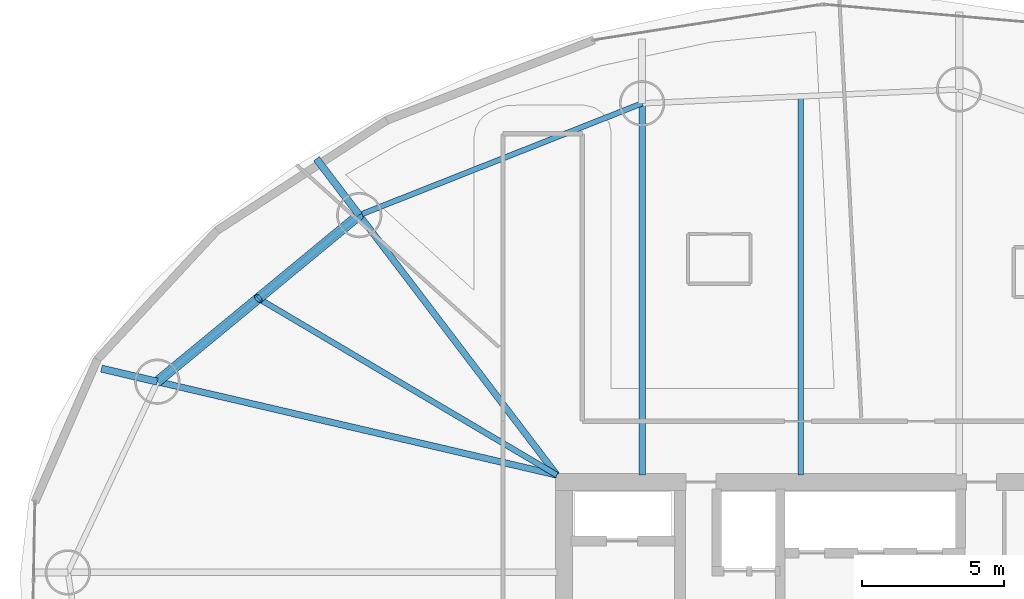
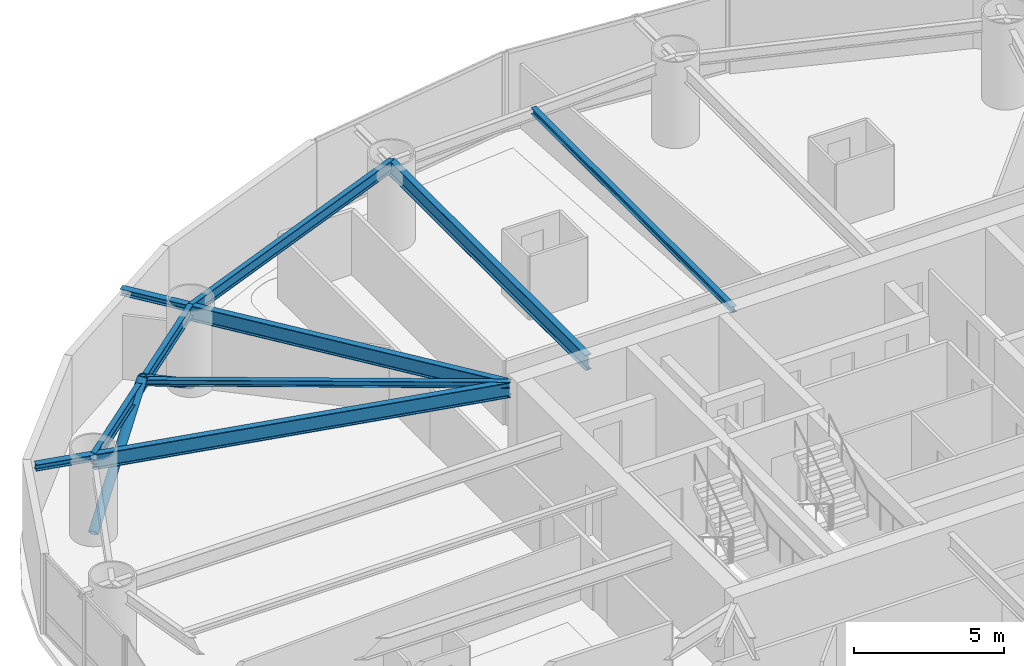
# One storey, part 13 of 24: 9 beams, 2 members.
"""IFC4 building model written with IfcOpenShell, lengths in metres."""

from ifc_helpers import new_model, si_unit, direction, frame, origin, origin_2d, place, context, subcontext, project, spatial, hollow_circle, i_section, extrude, material, material_profile, profile_set, type_object, element, save


model = new_model("IFC4")

# Units and contexts
model_context = context("Model", 3, precision=1e-05, world=origin(), true_north=direction((0.0, 1.0)))
body_context = subcontext(model_context, "Body", "Model", "MODEL_VIEW")
ifc_project = project(units=[si_unit("LENGTHUNIT", "METRE"), si_unit("AREAUNIT", "SQUARE_METRE"), si_unit("VOLUMEUNIT", "CUBIC_METRE"), si_unit("PLANEANGLEUNIT", "RADIAN"), si_unit("MASSUNIT", "GRAM", prefix="KILO")], contexts=[model_context])

# Site, building, storey
site_placement = place(None, origin())
site = spatial("IfcSite", under=ifc_project, at=site_placement, CompositionType="ELEMENT")
building_placement = place(site_placement, origin())
building = spatial("IfcBuilding", under=site, at=building_placement, Name="Bramvorn Convention Spire", CompositionType="ELEMENT")
storey_placement = place(building_placement, frame((0.0, 0.0, 83.39990234375)))
storey = spatial("IfcBuildingStorey", under=building, at=storey_placement, Name="L19", CompositionType="ELEMENT", Elevation=83.39990234375)

# Beams
ifc_material = material(Name="Steel CSA G40.21 Grade 350 (350W)", Category="steel")
ifc_material_profile_1 = material_profile(ifc_material, i_section(OverallWidth=0.201904296875, OverallDepth=0.2470703125, WebThickness=0.00732421875, FlangeThickness=0.010986328125, FilletRadius=0.011962890625, at=origin_2d()))
ifc_profile_set_1 = profile_set([ifc_material_profile_1], Name="Steel CSA G40.21 Grade 350 (350W) - W250X49")
beam_type_1 = type_object("IfcBeamType", Name="BM-W250X49", PredefinedType="JOIST", material=ifc_profile_set_1)
beam_1_placement = place(storey_placement, frame((35.361572265625, 33.449951171875, 3.126708984375), z_axis=(0.0, 1.0, 0.0), x_axis=(-1.0, 0.0, 0.0)))
element("IfcBeam", 1, at=beam_1_placement, inside=storey, type_object=beam_type_1, Name="L19 composite floor joist 05", PredefinedType="JOIST", context=body_context, shape_type="SweptSolid", body=[
    extrude(i_section(OverallWidth=0.201904296875, OverallDepth=0.2470703125, WebThickness=0.00732421875, FlangeThickness=0.010986328125, FilletRadius=0.011962890625, at=origin_2d()), origin(), (0.0, 0.0, 1.0), 13.372802734375),
])
beam_2_placement = place(storey_placement, frame((26.75, 33.449951171875, 3.126708984375), z_axis=(-0.860664556648, 0.509172388223, 0.0), x_axis=(-0.509172388223, -0.860664556648, 0.0)))
element("IfcBeam", 2, at=beam_2_placement, inside=storey, type_object=beam_type_1, Name="L19 composite floor joist 07", PredefinedType="JOIST", context=body_context, shape_type="SweptSolid", body=[
    extrude(i_section(OverallWidth=0.201904296875, OverallDepth=0.2470703125, WebThickness=0.00732421875, FlangeThickness=0.010986328125, FilletRadius=0.011962890625, at=origin_2d()), origin(), (0.0, 0.0, 1.0), 12.25048828125),
])
ifc_material_profile_2 = material_profile(ifc_material, i_section(OverallWidth=0.25390625, OverallDepth=0.2529296875, WebThickness=0.008544921875, FlangeThickness=0.01416015625, FilletRadius=0.011962890625, at=origin_2d()))
ifc_profile_set_2 = profile_set([ifc_material_profile_2], Name="Steel CSA G40.21 Grade 350 (350W) - W250X73")
beam_type_2 = type_object("IfcBeamType", Name="BM-W250X73", PredefinedType="BEAM", material=ifc_profile_set_2)
beam_3_placement = place(storey_placement, frame((19.772216796875, 42.628662109375, 3.12353515625), z_axis=(-0.605177399835, 0.796090644794, 0.0), x_axis=(-0.796090644794, -0.605177399835, 0.0)))
element("IfcBeam", 3, at=beam_3_placement, inside=storey, type_object=beam_type_2, Name="L19 slab-edge cantilever tip beam MC07", PredefinedType="BEAM", context=body_context, shape_type="SweptSolid", body=[
    extrude(i_section(OverallWidth=0.25390625, OverallDepth=0.2529296875, WebThickness=0.008544921875, FlangeThickness=0.01416015625, FilletRadius=0.011962890625, at=origin_2d()), origin(), (0.0, 0.0, 1.0), 2.498779296875),
])
beam_4_placement = place(storey_placement, frame((12.64111328125, 36.746337890625, 3.12353515625), z_axis=(-0.973790508089, 0.227446798956, 0.0), x_axis=(-0.227446798956, -0.973790508089, 0.0)))
element("IfcBeam", 4, at=beam_4_placement, inside=storey, type_object=beam_type_2, Name="L19 slab-edge cantilever tip beam MC08", PredefinedType="BEAM", context=body_context, shape_type="SweptSolid", body=[
    extrude(i_section(OverallWidth=0.25390625, OverallDepth=0.2529296875, WebThickness=0.008544921875, FlangeThickness=0.01416015625, FilletRadius=0.011962890625, at=origin_2d()), origin(), (0.0, 0.0, 1.0), 2.025390625),
])
ifc_material_profile_3 = material_profile(ifc_material, i_section(OverallWidth=0.194091796875, OverallDepth=0.468994140625, WebThickness=0.0126953125, FlangeThickness=0.0205078125, FilletRadius=0.01806640625, at=origin_2d()))
ifc_profile_set_3 = profile_set([ifc_material_profile_3], Name="Steel CSA G40.21 Grade 350 (350W) - W460X106")
beam_type_3 = type_object("IfcBeamType", Name="BM-W460X106", PredefinedType="SPANDREL", material=ifc_profile_set_3)
beam_5_placement = place(storey_placement, frame((29.76220703125, 46.57666015625, 3.015625), z_axis=(-0.93000950609, -0.367535465749, 0.0), x_axis=(0.367535465749, -0.93000950609, 0.0)))
element("IfcBeam", 5, at=beam_5_placement, inside=storey, type_object=beam_type_3, Name="L19 mega-column ring beam 06", PredefinedType="SPANDREL", context=body_context, shape_type="SweptSolid", body=[
    extrude(i_section(OverallWidth=0.194091796875, OverallDepth=0.468994140625, WebThickness=0.0126953125, FlangeThickness=0.0205078125, FilletRadius=0.01806640625, at=origin_2d()), origin(), (0.0, 0.0, 1.0), 10.74169921875),
])
beam_6_placement = place(storey_placement, frame((19.772216796875, 42.628662109375, 3.015625), z_axis=(-0.771417680101, -0.636329130896, 0.0), x_axis=(0.636329130896, -0.771417680101, 0.0)))
element("IfcBeam", 6, at=beam_6_placement, inside=storey, type_object=beam_type_3, Name="L19 mega-column ring beam 07", PredefinedType="SPANDREL", context=body_context, shape_type="SweptSolid", body=[
    extrude(i_section(OverallWidth=0.194091796875, OverallDepth=0.468994140625, WebThickness=0.0126953125, FlangeThickness=0.0205078125, FilletRadius=0.01806640625, at=origin_2d()), origin(), (0.0, 0.0, 1.0), 9.244140625),
])
ifc_material_profile_4 = material_profile(ifc_material, i_section(OverallWidth=0.22998046875, OverallDepth=0.616943359375, WebThickness=0.01318359375, FlangeThickness=0.022216796875, FilletRadius=0.02001953125, at=origin_2d()))
ifc_profile_set_4 = profile_set([ifc_material_profile_4], Name="Steel CSA G40.21 Grade 350 (350W) - W610X140")
beam_type_4 = type_object("IfcBeamType", Name="BM-W610X140", PredefinedType="BEAM", material=ifc_profile_set_4)
beam_7_placement = place(storey_placement, frame((29.76220703125, 33.449951171875, 2.941650390625), z_axis=(0.0, 1.0, 0.0), x_axis=(-1.0, 0.0, 0.0)))
element("IfcBeam", 7, at=beam_7_placement, inside=storey, type_object=beam_type_4, Name="L19 radial floor girder MC06", PredefinedType="BEAM", context=body_context, shape_type="SweptSolid", body=[
    extrude(i_section(OverallWidth=0.22998046875, OverallDepth=0.616943359375, WebThickness=0.01318359375, FlangeThickness=0.022216796875, FilletRadius=0.02001953125, at=origin_2d()), origin(), (0.0, 0.0, 1.0), 13.126708984375),
])
beam_8_placement = place(storey_placement, frame((26.75, 33.449951171875, 2.941650390625), z_axis=(-0.605191175112, 0.796080172826, 0.0), x_axis=(-0.796080172826, -0.605191175112, 0.0)))
element("IfcBeam", 8, at=beam_8_placement, inside=storey, type_object=beam_type_4, Name="L19 radial floor girder MC07", PredefinedType="BEAM", context=body_context, shape_type="SweptSolid", body=[
    extrude(i_section(OverallWidth=0.22998046875, OverallDepth=0.616943359375, WebThickness=0.01318359375, FlangeThickness=0.022216796875, FilletRadius=0.02001953125, at=origin_2d()), origin(), (0.0, 0.0, 1.0), 11.52978515625),
])
beam_9_placement = place(storey_placement, frame((26.75, 33.449951171875, 2.941650390625), z_axis=(-0.973775294862, 0.227511923018, 0.0), x_axis=(-0.227511923018, -0.973775294862, 0.0)))
element("IfcBeam", 9, at=beam_9_placement, inside=storey, type_object=beam_type_4, Name="L19 radial floor girder MC08", PredefinedType="BEAM", context=body_context, shape_type="SweptSolid", body=[
    extrude(i_section(OverallWidth=0.22998046875, OverallDepth=0.616943359375, WebThickness=0.01318359375, FlangeThickness=0.022216796875, FilletRadius=0.02001953125, at=origin_2d()), origin(), (0.0, 0.0, 1.0), 14.48876953125),
])

# Members
ifc_material_profile_5 = material_profile(ifc_material, hollow_circle(Radius=0.177734375, WallThickness=0.015869140625, at=origin_2d()))
ifc_profile_set_5 = profile_set([ifc_material_profile_5], Name="Steel CSA G40.21 Grade 350 (350W) - CHS356X16")
member_type = type_object("IfcMemberType", Name="MBR-CHS356X16", PredefinedType="BRACE", material=ifc_profile_set_5)
member_1_placement = place(storey_placement, frame((19.772216796875, 42.628662109375, 0.0), z_axis=(-0.631048588012, -0.520523268728, 0.575181020446), x_axis=(0.636316166913, -0.771428373684, 0.0)))
element("IfcMember", 10, at=member_1_placement, inside=storey, type_object=member_type, Name="L19 perimeter Gothic lancet brace 7A", PredefinedType="BRACE", context=body_context, shape_type="SweptSolid", body=[
    extrude(hollow_circle(Radius=0.177734375, WallThickness=0.015869140625, at=origin_2d()), origin(), (0.0, 0.0, 1.0), 5.650390625),
])
member_2_placement = place(storey_placement, frame((12.64111328125, 36.746337890625, 0.0), z_axis=(0.631022585513, 0.520537461495, 0.57519670353), x_axis=(-0.636342095228, 0.771406985865, 0.0)))
element("IfcMember", 11, at=member_2_placement, inside=storey, type_object=member_type, Name="L19 perimeter Gothic lancet brace 7B", PredefinedType="BRACE", context=body_context, shape_type="SweptSolid", body=[
    extrude(hollow_circle(Radius=0.177734375, WallThickness=0.015869140625, at=origin_2d()), origin(), (0.0, 0.0, 1.0), 5.650146484375),
])

save(model, "model.ifc")
